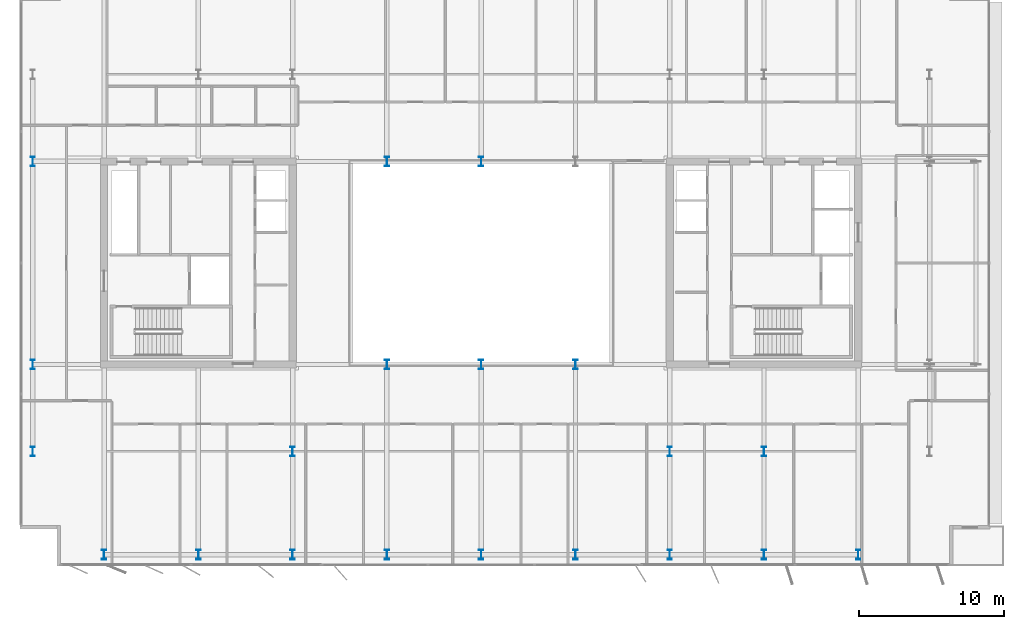
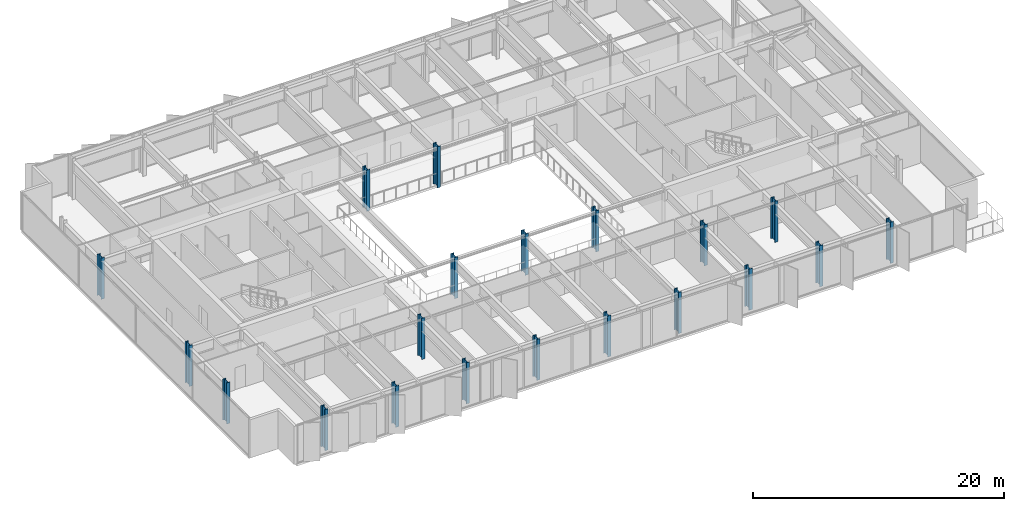
# One storey, part 1 of 20: 20 columns.
"""IFC4 building model written with IfcOpenShell, lengths in metres."""

import ifcopenshell
import ifcopenshell.guid

model = None  # the IFC model being written
_history = None  # IfcOwnerHistory: only IFC2X3 demands one
_inside = {}  # id of a spatial element -> (the spatial element, [elements in it])
_under = {}  # id of a project, library or spatial element -> (it, [spatial elements below it])
_declared = {}  # id of a project -> (the project, [libraries it declares])
_typed = {}  # id of a type object -> (the type object, [elements of that type])
_made_of = {}  # id of a material, layer set ... -> (it, [elements and type objects made of it])


def new_model(schema):
    """Start an empty IFC model of exactly this schema.

    Asked for "IFC4X3", IfcOpenShell would pick the latest addendum, in which some entities
    have other attributes; the version numbers below select the first issue.
    IFC2X3 requires an IfcOwnerHistory on every rooted entity: one is made here for all.
    """
    global model, _history
    if schema == "IFC4X3":
        model = ifcopenshell.file(schema_version=(4, 3, 0, 0))
    else:
        model = ifcopenshell.file(schema=schema)
    _inside.clear()
    _under.clear()
    _declared.clear()
    _typed.clear()
    _made_of.clear()
    _history = None
    if model.schema == "IFC2X3":
        org = make("IfcOrganization", Name="unknown")
        user = make(
            "IfcPersonAndOrganization",
            ThePerson=make("IfcPerson", FamilyName="unknown"),
            TheOrganization=org,
        )
        app = make(
            "IfcApplication",
            ApplicationDeveloper=org,
            Version="unknown",
            ApplicationFullName="unknown",
            ApplicationIdentifier="unknown",
        )
        _history = make(
            "IfcOwnerHistory",
            OwningUser=user,
            OwningApplication=app,
            ChangeAction="ADDED",
            CreationDate=0,
        )
    return model


def make(cls, **values):
    """One entity of the class cls with the attributes given. An attribute that is None is left unset."""
    return model.create_entity(
        cls, **{name: value for name, value in values.items() if value is not None}
    )


def rooted(cls, **values):
    """An entity with a GlobalId (a new one), such as an element, a storey or a relation."""
    return make(cls, GlobalId=ifcopenshell.guid.new(), OwnerHistory=_history, **values)


def si_unit(unit_type, name, prefix=None):
    """IfcSIUnit, for example si_unit("LENGTHUNIT", "METRE", prefix="MILLI")."""
    return make("IfcSIUnit", UnitType=unit_type, Prefix=prefix, Name=name)


def assignment(units):
    """IfcUnitAssignment: the units of a project."""
    return None if units is None else make("IfcUnitAssignment", Units=units)


def point(xyz):
    """IfcCartesianPoint."""
    return None if xyz is None else make("IfcCartesianPoint", Coordinates=xyz)


def direction(xyz):
    """IfcDirection."""
    return None if xyz is None else make("IfcDirection", DirectionRatios=xyz)


def frame(location, z_axis=None, x_axis=None):
    """IfcAxis2Placement3D, a coordinate frame: its origin and axes. An axis left out is left unset."""
    return make(
        "IfcAxis2Placement3D",
        Location=point(location),
        Axis=direction(z_axis),
        RefDirection=direction(x_axis),
    )


def frame_2d(location, x_axis=None):
    """IfcAxis2Placement2D, a coordinate frame in the plane: its origin and x axis."""
    return make(
        "IfcAxis2Placement2D", Location=point(location), RefDirection=direction(x_axis)
    )


def origin():
    """The frame at (0, 0, 0) with its axes left unset."""
    return frame((0.0, 0.0, 0.0))


def origin_2d():
    """The frame at (0, 0) in the plane with its x axis left unset."""
    return frame_2d((0.0, 0.0))


def place(relative_to, where):
    """IfcLocalPlacement: puts the frame where relative to a parent placement (None: the world)."""
    return make(
        "IfcLocalPlacement", PlacementRelTo=relative_to, RelativePlacement=where
    )


def context(
    kind, dimensions, precision=None, world=None, true_north=None, identifier=None
):
    """IfcGeometricRepresentationContext, for example the 3D "Model" context."""
    return make(
        "IfcGeometricRepresentationContext",
        ContextIdentifier=identifier,
        ContextType=kind,
        CoordinateSpaceDimension=dimensions,
        Precision=precision,
        WorldCoordinateSystem=world,
        TrueNorth=true_north,
    )


def subcontext(parent, identifier, kind, view, scale=None):
    """IfcGeometricRepresentationSubContext, for example "Body" below "Model"."""
    return make(
        "IfcGeometricRepresentationSubContext",
        ContextIdentifier=identifier,
        ContextType=kind,
        ParentContext=parent,
        TargetScale=scale,
        TargetView=view,
    )


def project(units=None, contexts=None):
    """IfcProject with its units and contexts."""
    return rooted(
        "IfcProject",
        Name="project",
        RepresentationContexts=contexts,
        UnitsInContext=assignment(units),
    )


def spatial(cls, under=None, at=None, **own):
    """A site, building, storey or space (cls), placed at a placement, below another one or the project."""
    s = rooted(cls, ObjectPlacement=at, **own)
    if under is not None:
        _under.setdefault(under.id(), (under, []))[1].append(s)
    return s


def profile(cls, at=None, kind="AREA", **sizes):
    """A parametric profile (cls). Its sizes go by their IFC names, for example OverallWidth=200.0."""
    return make(cls, ProfileType=kind, Position=at, **sizes)


def i_section(**sizes):
    """IfcIShapeProfileDef."""
    return profile("IfcIShapeProfileDef", **sizes)


def extrude(swept, where, along, depth):
    """IfcExtrudedAreaSolid: the profile swept, set in the frame where, extruded along a direction by depth."""
    return make(
        "IfcExtrudedAreaSolid",
        SweptArea=swept,
        Position=where,
        ExtrudedDirection=direction(along),
        Depth=depth,
    )


def shape(context_of_items, identifier, shape_type, items):
    """IfcShapeRepresentation: the items that make up one representation, for example the "Body"."""
    return make(
        "IfcShapeRepresentation",
        ContextOfItems=context_of_items,
        RepresentationIdentifier=identifier,
        RepresentationType=shape_type,
        Items=items,
    )


def material(Name=None, Category=None):
    """IfcMaterial."""
    return make("IfcMaterial", Name=Name, Category=Category)


def material_profile(
    of_material, cross_section, Name=None, Category=None, Priority=None
):
    """IfcMaterialProfile: a cross section and its material."""
    return make(
        "IfcMaterialProfile",
        Name=Name,
        Material=of_material,
        Profile=cross_section,
        Priority=Priority,
        Category=Category,
    )


def profile_set(profiles, Name=None, composite=None):
    """IfcMaterialProfileSet."""
    return make(
        "IfcMaterialProfileSet",
        Name=Name,
        MaterialProfiles=profiles,
        CompositeProfile=composite,
    )


def made_of(thing, what):
    """Note that an element or type object is made of a material, layer set ...; save() writes the relation."""
    if what is not None:
        _made_of.setdefault(what.id(), (what, []))[1].append(thing)
    return thing


def type_object(cls, material=None, **own):
    """A type object (cls), such as IfcWallType, which elements share."""
    return made_of(rooted(cls, **own), material)


def element(
    cls,
    number,
    at=None,
    inside=None,
    cuts=None,
    type_object=None,
    material=None,
    context=None,
    identifier="Body",
    shape_type=None,
    held_by="IfcProductDefinitionShape",
    body=None,
    shapes=None,
    **own,
):
    """One element of the class cls, such as IfcWall. Its Tag is "e" and its number.

    at: its placement. inside: the storey or other place that contains it. cuts: it is an
    opening in that element (IfcRelVoidsElement). A single representation is given by context,
    identifier, shape_type and body (its items); several are given by shapes. held_by: the class
    of the entity that holds the representations. save() writes the other relations.
    """
    e = rooted(cls, Tag="e%d" % number, ObjectPlacement=at, **own)
    if body is not None:
        shapes = [shape(context, identifier, shape_type, body)]
    if shapes is not None:
        e.Representation = make(held_by, Representations=shapes)
    if inside is not None:
        _inside.setdefault(inside.id(), (inside, []))[1].append(e)
    if cuts is not None:
        rooted(
            "IfcRelVoidsElement", RelatingBuildingElement=cuts, RelatedOpeningElement=e
        )
    if type_object is not None:
        _typed.setdefault(type_object.id(), (type_object, []))[1].append(e)
    return made_of(e, material)


def aggregate(whole, parts):
    """IfcRelAggregates: a whole, such as a stair, and the parts it consists of."""
    return rooted("IfcRelAggregates", RelatingObject=whole, RelatedObjects=parts)


def save(model, path):
    """Write the relations noted so far, then the file.

    IfcRelAggregates (storeys below a building ...), IfcRelContainedInSpatialStructure (elements
    in a storey), IfcRelDefinesByType, IfcRelAssociatesMaterial and IfcRelDeclares: one each for
    every whole, place, type object, material and project.
    """
    for whole, parts in _under.values():
        aggregate(whole, parts)
    for where, things in _inside.values():
        rooted(
            "IfcRelContainedInSpatialStructure",
            RelatedElements=things,
            RelatingStructure=where,
        )
    for kind, things in _typed.values():
        rooted("IfcRelDefinesByType", RelatedObjects=things, RelatingType=kind)
    for what, things in _made_of.values():
        rooted("IfcRelAssociatesMaterial", RelatedObjects=things, RelatingMaterial=what)
    for by, libraries in _declared.values():
        rooted("IfcRelDeclares", RelatingContext=by, RelatedDefinitions=libraries)
    model.write(path)


model = new_model("IFC4")

# Units and contexts
model_context = context("Model", 3, precision=1e-05, world=origin(), true_north=direction((0.0, 1.0)))
body_context = subcontext(model_context, "Body", "Model", "MODEL_VIEW")
ifc_project = project(units=[si_unit("LENGTHUNIT", "METRE"), si_unit("AREAUNIT", "SQUARE_METRE"), si_unit("VOLUMEUNIT", "CUBIC_METRE"), si_unit("PLANEANGLEUNIT", "RADIAN"), si_unit("MASSUNIT", "GRAM", prefix="KILO")], contexts=[model_context])

# Site, building, storey
site_placement = place(None, origin())
site = spatial("IfcSite", under=ifc_project, at=site_placement, CompositionType="ELEMENT")
building_placement = place(site_placement, origin())
building = spatial("IfcBuilding", under=site, at=building_placement, Name="Putna Gate Headquarters", CompositionType="ELEMENT")
storey_placement = place(building_placement, frame((0.0, 0.0, 306.39990234375)))
storey = spatial("IfcBuildingStorey", under=building, at=storey_placement, Name="L77", CompositionType="ELEMENT", Elevation=306.39990234375)

# Columns
ifc_material = material(Name="Steel S460M", Category="steel")
ifc_material_profile_1 = material_profile(ifc_material, i_section(OverallWidth=0.304931640625, OverallDepth=0.66796875, WebThickness=0.02099609375, FlangeThickness=0.0400390625, at=origin_2d()), Name="Steel S460M")
ifc_profile_set_1 = profile_set([ifc_material_profile_1], Name="Steel S460M")
column_type_1 = type_object("IfcColumnType", Name="COL-STL-HEM650-EXT", PredefinedType="COLUMN", material=ifc_profile_set_1)
for number, where, z_axis, x_axis, name in (
    (1, (13.0, 5.8798828125, 0.0), (0.0, 0.0, 1.0), (1.0, 0.0, 0.0), "L77 Column CP-S13"),
    (2, (19.5, 5.8798828125, 0.0), (0.0, 0.0, 1.0), (1.0, 0.0, 0.0), "L77 Column CP-S19"),
    (3, (26.0, 5.8798828125, 0.0), (0.0, 0.0, 1.0), (1.0, 0.0, 0.0), "L77 Column CP-S26"),
    (4, (32.5, 5.8798828125, 0.0), (0.0, 0.0, 1.0), (1.0, 0.0, 0.0), "L77 Column CP-S32"),
    (5, (39.0, 5.8798828125, 0.0), (0.0, 0.0, 1.0), (1.0, 0.0, 0.0), "L77 Column CP-S39"),
    (6, (45.5, 5.8798828125, 0.0), (0.0, 0.0, 1.0), (1.0, 0.0, 0.0), "L77 Column CP-S45"),
    (7, (52.0, 5.8798828125, 0.0), (0.0, 0.0, 1.0), (1.0, 0.0, 0.0), "L77 Column CP-S52"),
    (8, (58.5, 5.8798828125, 0.0), (0.0, 0.0, 1.0), (1.0, 0.0, 0.0), "L77 Column CP-S58"),
    (9, (65.0, 5.8798828125, 0.0), (0.0, 0.0, 1.0), (1.0, 0.0, 0.0), "L77 Column CP-S65"),
    (10, (8.080078125, 13.0, 0.0), (0.0, 0.0, 1.0), (1.0, 0.0, 0.0), "L77 Column CP-W13"),
    (11, (8.080078125, 19.0, 0.0), (0.0, 0.0, 1.0), (1.0, 0.0, 0.0), "L77 Column CP-W19"),
    (12, (8.080078125, 33.0, 0.0), (0.0, 0.0, 1.0), (1.0, 0.0, 0.0), "L77 Column CP-W33"),
):
    element("IfcColumn", number, at=place(storey_placement, frame(where, z_axis=z_axis, x_axis=x_axis)), inside=storey, type_object=column_type_1, Name=name, PredefinedType="COLUMN", context=body_context, shape_type="SweptSolid", body=[
        extrude(i_section(OverallWidth=0.304931640625, OverallDepth=0.66796875, WebThickness=0.02099609375, FlangeThickness=0.0400390625, at=origin_2d()), origin(), (0.0, 0.0, 1.0), 4.0),
    ])
ifc_material_profile_2 = material_profile(ifc_material, i_section(OverallWidth=0.304931640625, OverallDepth=0.66796875, WebThickness=0.02099609375, FlangeThickness=0.0400390625, at=origin_2d()), Name="Steel S460M")
ifc_profile_set_2 = profile_set([ifc_material_profile_2], Name="Steel S460M")
column_type_2 = type_object("IfcColumnType", Name="COL-STL-HEM650-INT", PredefinedType="COLUMN", material=ifc_profile_set_2)
for number, where, z_axis, x_axis, name in (
    (13, (58.5, 13.0, 0.0), (0.0, 0.0, 1.0), (1.0, 0.0, 0.0), "L77 Column CSI-ES"),
    (14, (32.5, 19.0, 0.0), (0.0, 0.0, 1.0), (1.0, 0.0, 0.0), "L77 Column CAI-S32"),
    (15, (32.5, 33.0, 0.0), (0.0, 0.0, 1.0), (1.0, 0.0, 0.0), "L77 Column CAI-N32"),
    (16, (39.0, 19.0, 0.0), (0.0, 0.0, 1.0), (1.0, 0.0, 0.0), "L77 Column CAI-S39"),
    (17, (39.0, 33.0, 0.0), (0.0, 0.0, 1.0), (1.0, 0.0, 0.0), "L77 Column CAI-N39"),
    (18, (45.5, 19.0, 0.0), (0.0, 0.0, 1.0), (1.0, 0.0, 0.0), "L77 Column CAI-S45"),
    (19, (26.0, 13.0, 0.0), (0.0, 0.0, 1.0), (1.0, 0.0, 0.0), "L77 Column CAP-WS"),
    (20, (52.0, 13.0, 0.0), (0.0, 0.0, 1.0), (1.0, 0.0, 0.0), "L77 Column CAP-ES"),
):
    element("IfcColumn", number, at=place(storey_placement, frame(where, z_axis=z_axis, x_axis=x_axis)), inside=storey, type_object=column_type_2, Name=name, PredefinedType="COLUMN", context=body_context, shape_type="SweptSolid", body=[
        extrude(i_section(OverallWidth=0.304931640625, OverallDepth=0.66796875, WebThickness=0.02099609375, FlangeThickness=0.0400390625, at=origin_2d()), origin(), (0.0, 0.0, 1.0), 4.0),
    ])

save(model, "model.ifc")
